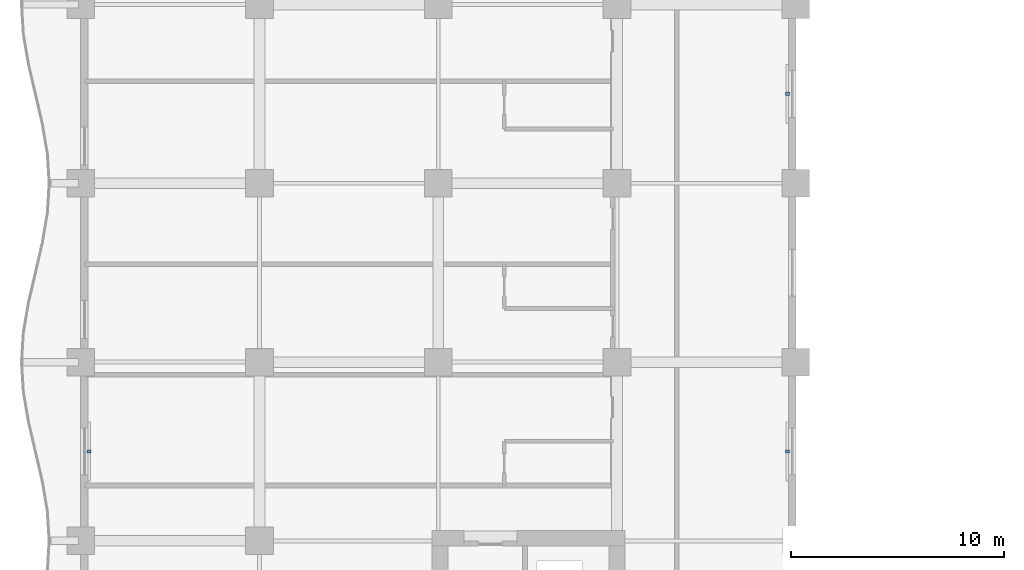
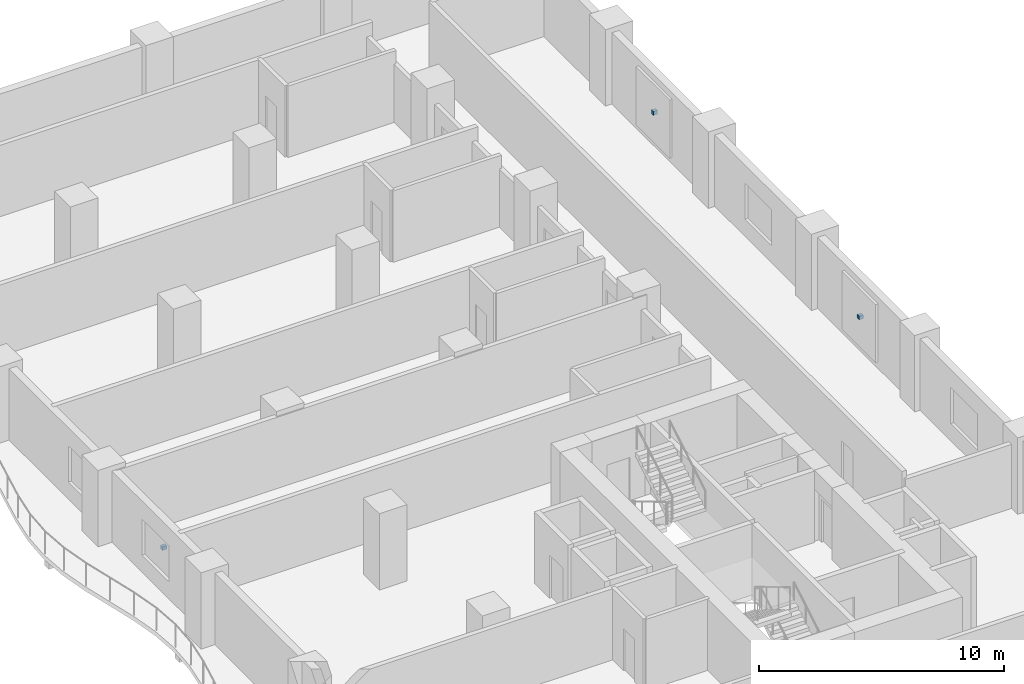
# One storey, part 20 of 24: 3 discrete accessories.
"""IFC4 building model written with IfcOpenShell, lengths in metres."""

from ifc_helpers import new_model, si_unit, direction, frame, origin, origin_2d, place, context, subcontext, project, spatial, rectangle, extrude, material, type_object, element, save


model = new_model("IFC4")

# Units and contexts
model_context = context("Model", 3, precision=1e-05, world=origin(), true_north=direction((0.0, 1.0)))
body_context = subcontext(model_context, "Body", "Model", "MODEL_VIEW")
ifc_project = project(units=[si_unit("LENGTHUNIT", "METRE"), si_unit("AREAUNIT", "SQUARE_METRE"), si_unit("VOLUMEUNIT", "CUBIC_METRE"), si_unit("PLANEANGLEUNIT", "RADIAN"), si_unit("MASSUNIT", "GRAM", prefix="KILO")], contexts=[model_context])

# Site, building, storey
site_placement = place(None, origin())
site = spatial("IfcSite", under=ifc_project, at=site_placement, CompositionType="ELEMENT")
building_placement = place(site_placement, origin())
building = spatial("IfcBuilding", under=site, at=building_placement, Name="Koriwani Terraces Tower", CompositionType="ELEMENT")
storey_placement = place(building_placement, frame((0.0, 0.0, 149.39990234375)))
storey = spatial("IfcBuildingStorey", under=building, at=storey_placement, Name="L36", CompositionType="ELEMENT", Elevation=149.39990234375)

# Discrete accessories
ifc_material = material(Name="Steel ASTM A572 Grade 50", Category="steel")
discrete_accessory_type = type_object("IfcDiscreteAccessoryType", Name="BAGUETTE_STANDOFF_BRACKET", PredefinedType="BRACKET", material=ifc_material)
for number, where, z_axis, x_axis, name in (
    (1, (0.389892578125, 63.0, 1.68505859375), (0.0, 0.0, 1.0), (0.0, 1.0, 0.0), "L36 Terracotta Baguette Bracket (W-21)"),
    (2, (33.2099609375, 63.0, 1.68505859375), (0.0, 0.0, 1.0), (0.0, -1.0, 0.0), "L36 Terracotta Baguette Bracket (NW_IN-11)"),
    (3, (33.2099609375, 79.800048828125, 1.68505859375), (0.0, 0.0, 1.0), (0.0, -1.0, 0.0), "L36 Terracotta Baguette Bracket (NW_IN-17)"),
):
    element("IfcDiscreteAccessory", number, at=place(storey_placement, frame(where, z_axis=z_axis, x_axis=x_axis)), inside=storey, type_object=discrete_accessory_type, Name=name, PredefinedType="BRACKET", context=body_context, shape_type="SweptSolid", body=[
        extrude(rectangle(XDim=0.159912109375, YDim=0.199951171875, at=origin_2d()), origin(), (0.0, 0.0, 1.0), 0.179931640625),
    ])

save(model, "model.ifc")
